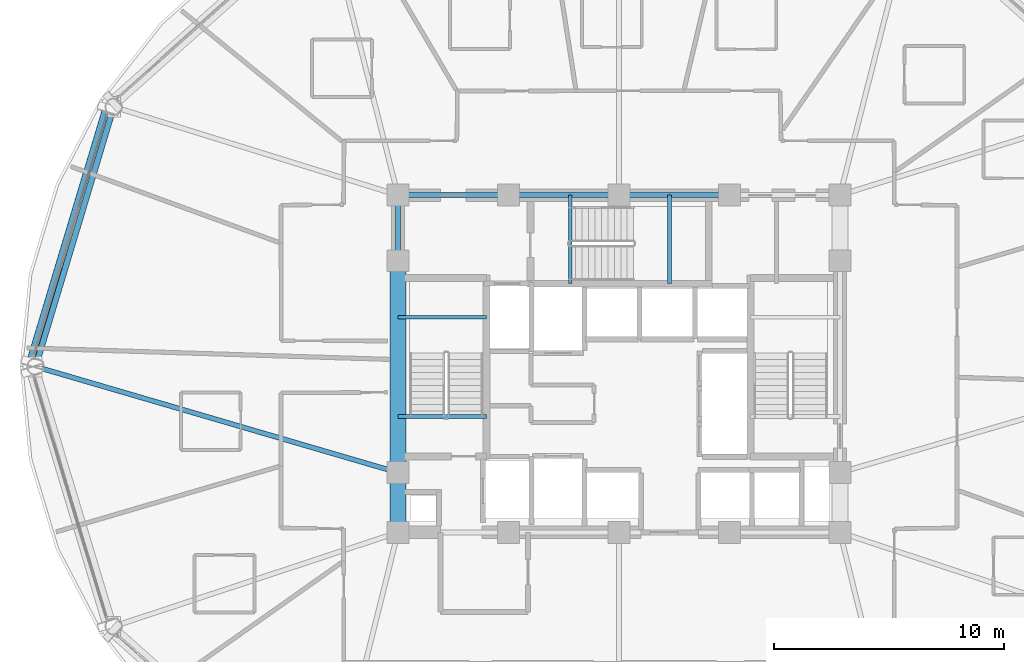
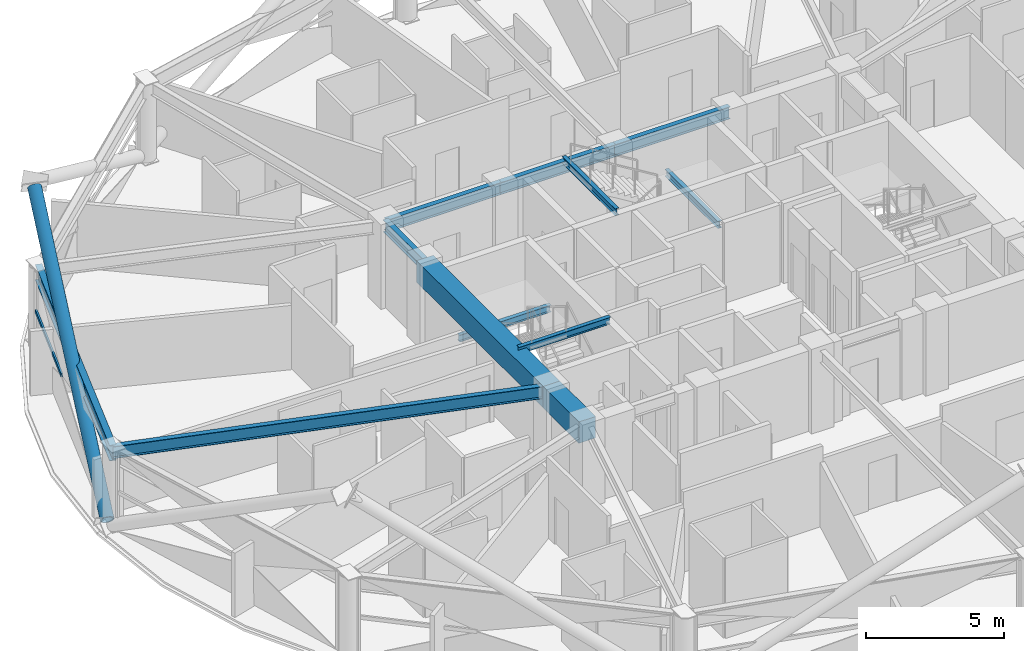
# One storey, part 7 of 30: 12 beams, 2 members, 1 element without a shape of its own.
"""IFC4 building model written with IfcOpenShell, lengths in metres."""

from ifc_helpers import new_model, si_unit, direction, frame, origin, origin_2d, place, context, subcontext, project, spatial, rectangle, hollow_rectangle, hollow_circle, i_section, extrude, material, layer, layer_set, material_profile, profile_set, type_object, element, aggregate, save


model = new_model("IFC4")

# Units and contexts
model_context = context("Model", 3, precision=1e-05, world=origin(), true_north=direction((0.0, 1.0)))
body_context = subcontext(model_context, "Body", "Model", "MODEL_VIEW")
ifc_project = project(units=[si_unit("LENGTHUNIT", "METRE"), si_unit("AREAUNIT", "SQUARE_METRE"), si_unit("VOLUMEUNIT", "CUBIC_METRE"), si_unit("PLANEANGLEUNIT", "RADIAN"), si_unit("MASSUNIT", "GRAM", prefix="KILO")], contexts=[model_context])

# Site, building, storey
site_placement = place(None, origin())
site = spatial("IfcSite", under=ifc_project, at=site_placement, CompositionType="ELEMENT")
building_placement = place(site_placement, origin())
building = spatial("IfcBuilding", under=site, at=building_placement, Name="Vantalir Tower", CompositionType="ELEMENT")
storey_placement = place(building_placement, frame((0.0, 0.0, 119.699951171875)))
storey = spatial("IfcBuildingStorey", under=building, at=storey_placement, Name="L29", CompositionType="ELEMENT", Elevation=119.699951171875)

# Beams
ifc_material_1 = material(Name="Concrete C60/75", Category="concrete")
ifc_material_profile_1 = material_profile(ifc_material_1, rectangle(XDim=0.699951171875, YDim=0.949951171875, at=origin_2d()), Name="Concrete C60/75")
ifc_profile_set_1 = profile_set([ifc_material_profile_1], Name="Concrete C60/75")
beam_type_1 = type_object("IfcBeamType", Name="BM-CB-700x950", PredefinedType="USERDEFINED", material=ifc_profile_set_1)
beam_1_placement = place(storey_placement, frame((21.89990234375, 29.60009765625, 3.094970703125), z_axis=(0.0, -1.0, 0.0), x_axis=(1.0, 0.0, 0.0)))
element("IfcBeam", 1, at=beam_1_placement, inside=storey, type_object=beam_type_1, Name="L29 Core Coupling Girder 13", ObjectType="GIRDER", PredefinedType="USERDEFINED", context=body_context, shape_type="SweptSolid", body=[
    extrude(rectangle(XDim=0.699951171875, YDim=0.949951171875, at=origin_2d()), origin(), (0.0, 0.0, 1.0), 9.2001953125),
])
beam_2_placement = place(storey_placement, frame((21.89990234375, 20.39990234375, 3.094970703125), z_axis=(0.0, -1.0, 0.0), x_axis=(1.0, 0.0, 0.0)))
element("IfcBeam", 2, at=beam_2_placement, inside=storey, type_object=beam_type_1, Name="L29 Core Coupling Girder 14", ObjectType="GIRDER", PredefinedType="USERDEFINED", context=body_context, shape_type="SweptSolid", body=[
    extrude(rectangle(XDim=0.699951171875, YDim=0.949951171875, at=origin_2d()), origin(), (0.0, 0.0, 1.0), 2.599853515625),
])
ifc_material_2 = material(Name="Steel S355", Category="steel")
ifc_material_profile_2 = material_profile(ifc_material_2, i_section(OverallWidth=0.166015625, OverallDepth=0.306884765625, WebThickness=0.006591796875, FlangeThickness=0.01171875, at=origin_2d()), Name="Steel S355")
ifc_profile_set_2 = profile_set([ifc_material_profile_2], Name="Steel S355")
beam_type_2 = type_object("IfcBeamType", Name="BM-JS-305x165", PredefinedType="JOIST", material=ifc_profile_set_2)
for number, where, z_axis, x_axis, name in (
    (3, (21.89990234375, 22.8349609375, 3.59716796875), (1.0, 0.0, 0.0), (0.0, 1.0, 0.0), "L30 Stair ST1 Well Nosing Trimmer Beam"),
    (4, (21.89990234375, 27.14501953125, 1.52197265625), (1.0, 0.0, 0.0), (0.0, 1.0, 0.0), "L29 Stair ST1 Half-Landing Support Beam"),
):
    element("IfcBeam", number, at=place(storey_placement, frame(where, z_axis=z_axis, x_axis=x_axis)), inside=storey, type_object=beam_type_2, Name=name, PredefinedType="JOIST", context=body_context, shape_type="SweptSolid", body=[
        extrude(i_section(OverallWidth=0.166015625, OverallDepth=0.306884765625, WebThickness=0.006591796875, FlangeThickness=0.01171875, at=origin_2d()), origin(), (0.0, 0.0, 1.0), 3.840087890625),
    ])
for number, where, z_axis, x_axis, name in (
    (5, (29.385009765625, 28.60009765625, 3.59716796875), (0.0, 1.0, 0.0), (-1.0, 0.0, 0.0), "L30 Stair ST3 Well Nosing Trimmer Beam"),
    (6, (33.695068359375, 28.60009765625, 1.52197265625), (0.0, 1.0, 0.0), (-1.0, 0.0, 0.0), "L29 Stair ST3 Half-Landing Support Beam"),
):
    element("IfcBeam", number, at=place(storey_placement, frame(where, z_axis=z_axis, x_axis=x_axis)), inside=storey, type_object=beam_type_2, Name=name, PredefinedType="JOIST", context=body_context, shape_type="SweptSolid", body=[
        extrude(i_section(OverallWidth=0.166015625, OverallDepth=0.306884765625, WebThickness=0.006591796875, FlangeThickness=0.01171875, at=origin_2d()), origin(), (0.0, 0.0, 1.0), 3.849853515625),
    ])
ifc_material_profile_3 = material_profile(ifc_material_2, i_section(OverallWidth=0.2109375, OverallDepth=0.5390625, WebThickness=0.01171875, FlangeThickness=0.018798828125, at=origin_2d()), Name="Steel S355")
ifc_profile_set_3 = profile_set([ifc_material_profile_3], Name="Steel S355")
beam_type_3 = type_object("IfcBeamType", Name="BM-RB-533x210", PredefinedType="BEAM", material=ifc_profile_set_3)
for number, where, z_axis, x_axis, name in (
    (7, (36.300048828125, 32.449951171875, 3.300048828125), (-1.0, 0.0, 0.0), (0.0, -1.0, 0.0), "L29 Core Coupling Girder 09"),
    (8, (31.5, 32.449951171875, 3.300048828125), (-1.0, 0.0, 0.0), (0.0, -1.0, 0.0), "L29 Core Coupling Girder 10"),
    (9, (26.699951171875, 32.449951171875, 3.300048828125), (-1.0, 0.0, 0.0), (0.0, -1.0, 0.0), "L29 Core Coupling Girder 11"),
):
    element("IfcBeam", number, at=place(storey_placement, frame(where, z_axis=z_axis, x_axis=x_axis)), inside=storey, type_object=beam_type_3, Name=name, PredefinedType="BEAM", context=body_context, shape_type="SweptSolid", body=[
        extrude(i_section(OverallWidth=0.2109375, OverallDepth=0.5390625, WebThickness=0.01171875, FlangeThickness=0.018798828125, at=origin_2d()), origin(), (0.0, 0.0, 1.0), 4.800048828125),
    ])
beam_3_placement = place(storey_placement, frame((21.89990234375, 32.449951171875, 3.300048828125), z_axis=(0.0, -1.0, 0.0), x_axis=(1.0, 0.0, 0.0)))
element("IfcBeam", 10, at=beam_3_placement, inside=storey, type_object=beam_type_3, Name="L29 Core Coupling Girder 12", PredefinedType="BEAM", context=body_context, shape_type="SweptSolid", body=[
    extrude(i_section(OverallWidth=0.2109375, OverallDepth=0.5390625, WebThickness=0.01171875, FlangeThickness=0.018798828125, at=origin_2d()), origin(), (0.0, 0.0, 1.0), 2.849853515625),
])
beam_4_placement = place(storey_placement, frame((6.159912109375, 25.0, 3.300048828125), z_axis=(0.959847952894, -0.280520778775, 0.0), x_axis=(0.280520778775, 0.959847952894, 0.0)))
element("IfcBeam", 11, at=beam_4_placement, inside=storey, type_object=beam_type_3, Name="L29 Radial Floor Beam 07", PredefinedType="BEAM", context=body_context, shape_type="SweptSolid", body=[
    extrude(i_section(OverallWidth=0.2109375, OverallDepth=0.5390625, WebThickness=0.01171875, FlangeThickness=0.018798828125, at=origin_2d()), origin(), (0.0, 0.0, 1.0), 16.3984375),
])
ifc_material_3 = material(Name="Steel S460", Category="steel")
ifc_material_profile_4 = material_profile(ifc_material_3, i_section(OverallWidth=0.256103515625, OverallDepth=0.693115234375, WebThickness=0.014404296875, FlangeThickness=0.023681640625, at=origin_2d()), Name="Steel S460")
ifc_profile_set_4 = profile_set([ifc_material_profile_4], Name="Steel S460")
beam_type_4 = type_object("IfcBeamType", Name="BM-RG-686x254", PredefinedType="USERDEFINED", material=ifc_profile_set_4)
beam_5_placement = place(storey_placement, frame((9.554931640625, 36.282958984375, 3.22314453125), z_axis=(-0.288136680777, -0.957589292542, 0.0), x_axis=(0.957589292542, -0.288136680777, 0.0)))
element("IfcBeam", 12, at=beam_5_placement, inside=storey, type_object=beam_type_4, Name="L29 Circumferential Ring Girder 06", ObjectType="GIRDER", PredefinedType="USERDEFINED", context=body_context, shape_type="SweptSolid", body=[
    extrude(i_section(OverallWidth=0.256103515625, OverallDepth=0.693115234375, WebThickness=0.014404296875, FlangeThickness=0.023681640625, at=origin_2d()), origin(), (0.0, 0.0, 1.0), 11.78271484375),
])

# Curtain wall, member
ifc_material_4 = material(Name="Champagne-silver PVDF aluminium and double-silver Low-E glass", Category="aluminium")
ifc_layer = layer(ifc_material_4, 0.199951171875)
ifc_layer_set = layer_set([ifc_layer], Name="Champagne-silver PVDF aluminium and double-silver Low-E glass")
curtain_wall_type = type_object("IfcCurtainWallType", Name="CW-DIAMOND-Z2", PredefinedType="USERDEFINED", material=ifc_layer_set)
curtain_wall_placement = place(storey_placement, origin())
curtain_wall = element("IfcCurtainWall", 13, at=curtain_wall_placement, inside=storey, type_object=curtain_wall_type, Name="L29 Quilted Pyramid-Diamond Curtain Wall S06", ObjectType="UNITISED CURTAIN WALL", PredefinedType="USERDEFINED")
ifc_material_5 = material(Name="Champagne-silver PVDF aluminium 6063-T6", Category="aluminium")
ifc_material_profile_5 = material_profile(ifc_material_5, hollow_rectangle(XDim=0.074951171875, YDim=0.159912109375, WallThickness=0.00390625, at=origin_2d()), Name="Champagne-silver PVDF aluminium 6063-T6")
ifc_profile_set_5 = profile_set([ifc_material_profile_5], Name="Champagne-silver PVDF aluminium 6063-T6")
member_type_1 = type_object("IfcMemberType", Name="CWT-160x75", PredefinedType="USERDEFINED", material=ifc_profile_set_5)
member_1_placement = place(storey_placement, frame((9.262939453125, 35.95703125, 1.78515625), z_axis=(-0.293203479006, -0.956050061398, 0.0), x_axis=(0.956050061398, -0.293203479006, 0.0)))
member_1 = element("IfcMember", 14, at=member_1_placement, type_object=member_type_1, Name="CW-L29-S06 Pyramid Fold Ridge Transom", ObjectType="TRANSOM", PredefinedType="USERDEFINED", context=body_context, shape_type="SweptSolid", body=[
    extrude(hollow_rectangle(XDim=0.074951171875, YDim=0.159912109375, WallThickness=0.00390625, at=origin_2d()), origin(), (0.0, 0.0, 1.0), 4.180908203125),
])
aggregate(curtain_wall, [member_1])

# Member
ifc_material_profile_6 = material_profile(ifc_material_3, hollow_circle(Radius=0.260009765625, WallThickness=0.0380859375, at=origin_2d()), Name="Steel S460")
ifc_profile_set_6 = profile_set([ifc_material_profile_6], Name="Steel S460")
member_type_2 = type_object("IfcMemberType", Name="MEM-DB-520x38", PredefinedType="BRACE", material=ifc_profile_set_6)
member_2_placement = place(storey_placement, frame((6.02392578125, 25.179931640625, 0.194091796875), z_axis=(0.24657648049, 0.820285755899, 0.516072977338), x_axis=(-0.95766844946, 0.287873480731, 0.0)))
element("IfcMember", 15, at=member_2_placement, inside=storey, type_object=member_type_2, Name="L29 Perimeter S460 Diagrid Brace R19R", PredefinedType="BRACE", context=body_context, shape_type="SweptSolid", body=[
    extrude(hollow_circle(Radius=0.260009765625, WallThickness=0.0380859375, at=origin_2d()), origin(), (0.0, 0.0, 1.0), 13.431884765625),
])

save(model, "model.ifc")
